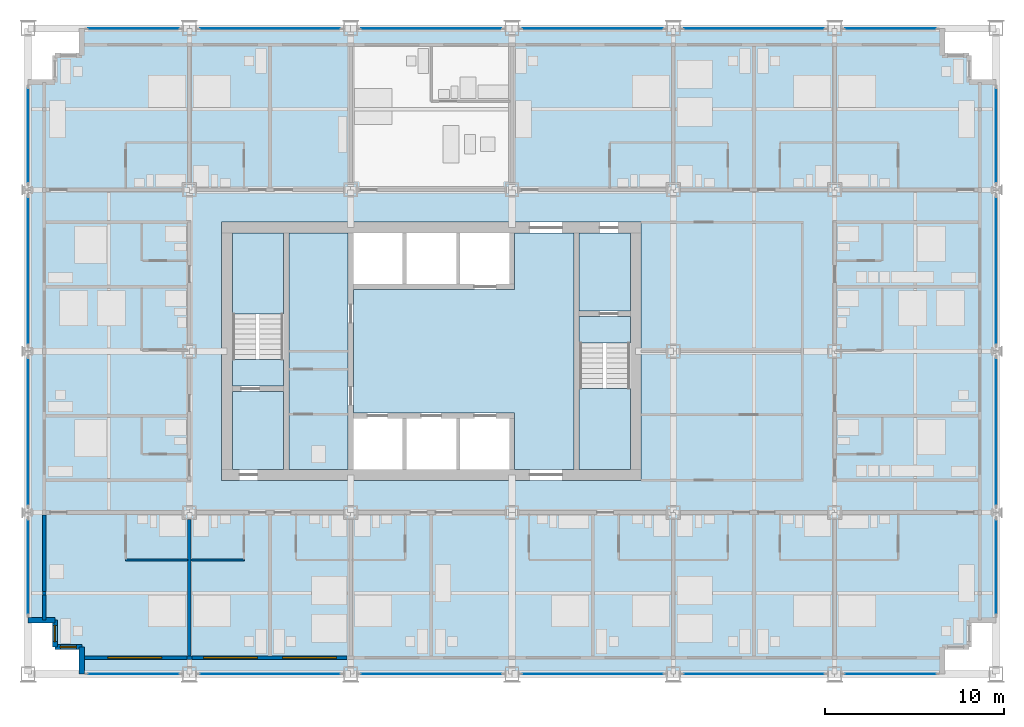
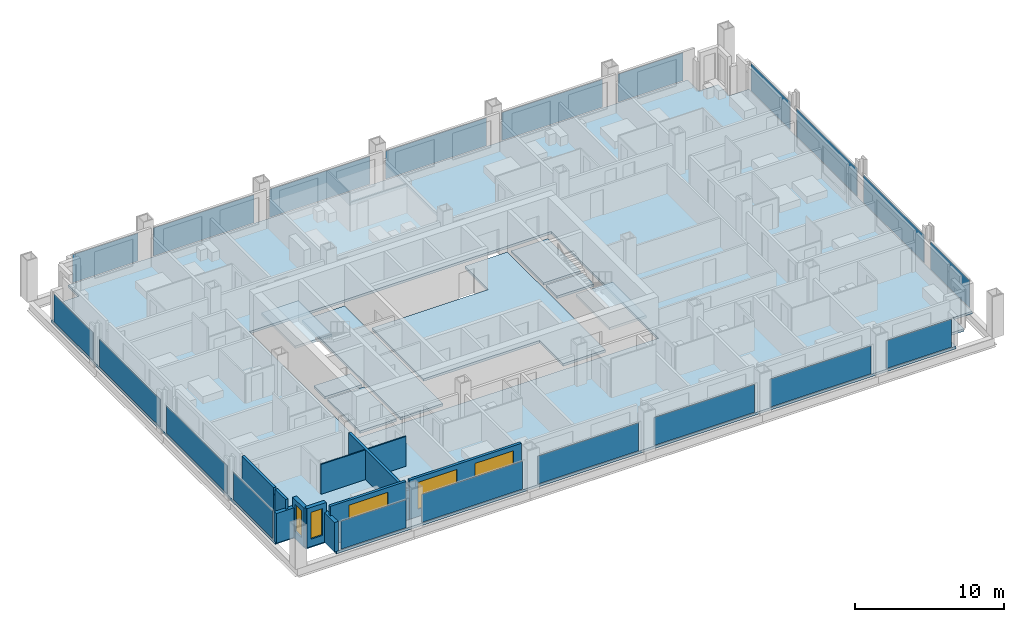
# One storey, part 9 of 18: 20 plates, 13 walls, 9 slabs, 5 windows, 5 openings, 22 elements without a shape of their own.
"""IFC4 building model written with IfcOpenShell, lengths in metres."""

from ifc_helpers import new_model, si_unit, direction, frame, frame_2d, origin, origin_2d, place, context, subcontext, project, spatial, polyline, rectangle, outline, extrude, material, layer, layer_set, type_object, element, fill, aggregate, save


model = new_model("IFC4")

# Units and contexts
model_context = context("Model", 3, precision=1e-05, world=origin(), true_north=direction((0.0, 1.0)))
body_context = subcontext(model_context, "Body", "Model", "MODEL_VIEW")
ifc_project = project(units=[si_unit("LENGTHUNIT", "METRE"), si_unit("AREAUNIT", "SQUARE_METRE"), si_unit("VOLUMEUNIT", "CUBIC_METRE"), si_unit("PLANEANGLEUNIT", "RADIAN"), si_unit("MASSUNIT", "GRAM", prefix="KILO")], contexts=[model_context])

# Site, building, storey
site_placement = place(None, origin())
site = spatial("IfcSite", under=ifc_project, at=site_placement, CompositionType="ELEMENT")
building_placement = place(site_placement, origin())
building = spatial("IfcBuilding", under=site, at=building_placement, Name="Loomwork Tower", CompositionType="ELEMENT")
storey_placement = place(building_placement, frame((0.0, 0.0, 82.39990234375)))
storey = spatial("IfcBuildingStorey", under=building, at=storey_placement, Name="L21", CompositionType="ELEMENT", Elevation=82.39990234375)

# Slabs
ifc_material_1 = material(Name="Concrete 5000 psi (34 MPa) on composite metal deck", Category="concrete")
ifc_layer_1 = layer(ifc_material_1, 0.199951171875)
ifc_layer_set_1 = layer_set([ifc_layer_1], Name="Floor slab 200")
slab_type_1 = type_object("IfcSlabType", Name="Floor slab 200", PredefinedType="FLOOR", material=ifc_layer_set_1)
slab_1_placement = place(storey_placement, frame((0.0, 0.0, -0.199951171875)))
element("IfcSlab", 1, at=slab_1_placement, inside=storey, type_object=slab_type_1, Name="Floor slab L21", PredefinedType="FLOOR", context=body_context, shape_type="SweptSolid", body=[
    extrude(outline(polyline([(3.0, 1.5), (1.5, 1.5), (1.5, 3.0), (0.0, 3.0), (0.0, 33.0), (1.5, 33.0), (1.5, 34.5), (3.0, 34.5), (3.0, 36.0), (51.0, 36.0), (51.0, 34.5), (52.5, 34.5), (52.5, 33.0), (54.0, 33.0), (54.0, 3.0), (52.5, 3.0), (52.5, 1.5), (51.0, 1.5), (51.0, 0.0), (3.0, 0.0), (3.0, 1.5)]), holes=[polyline([(10.800048828125, 11.39990234375), (10.800048828125, 11.39990234375), (10.800048828125, 10.800048828125), (34.199951171875, 10.800048828125), (34.199951171875, 11.39990234375), (34.199951171875, 11.39990234375), (34.199951171875, 24.60009765625), (34.199951171875, 25.199951171875), (10.800048828125, 25.199951171875), (10.800048828125, 24.60009765625), (10.800048828125, 11.39990234375)])]), origin(), (0.0, 0.0, 1.0), 0.199951171875),
])
slab_2_placement = place(storey_placement, frame((0.0, 0.0, -0.199951171875)))
element("IfcSlab", 2, at=slab_2_placement, inside=storey, type_object=slab_type_1, Name="Floor slab L21", PredefinedType="FLOOR", context=body_context, shape_type="SweptSolid", body=[
    extrude(outline(polyline([(30.449951171875, 24.60009765625), (30.449951171875, 11.39990234375), (27.14990234375, 11.39990234375), (27.14990234375, 14.25), (27.14990234375, 14.550048828125), (18.14990234375, 14.550048828125), (18.14990234375, 21.449951171875), (27.14990234375, 21.449951171875), (27.14990234375, 21.75), (27.14990234375, 24.60009765625), (30.449951171875, 24.60009765625)])), origin(), (0.0, 0.0, 1.0), 0.199951171875),
])
slab_3_placement = place(storey_placement, frame((0.0, 0.0, -0.199951171875)))
element("IfcSlab", 3, at=slab_3_placement, inside=storey, type_object=slab_type_1, Name="Floor slab L21", PredefinedType="FLOOR", context=body_context, shape_type="SweptSolid", body=[
    extrude(outline(polyline([(14.550048828125, 11.39990234375), (14.550048828125, 24.60009765625), (17.85009765625, 24.60009765625), (17.85009765625, 11.39990234375), (14.550048828125, 11.39990234375)])), origin(), (0.0, 0.0, 1.0), 0.199951171875),
])
slab_4_placement = place(storey_placement, frame((0.0, 0.0, -0.199951171875)))
element("IfcSlab", 4, at=slab_4_placement, inside=storey, type_object=slab_type_1, Name="Floor slab L21", PredefinedType="FLOOR", context=body_context, shape_type="SweptSolid", body=[
    extrude(outline(polyline([(33.60009765625, 20.25), (30.75, 20.25), (30.75, 24.60009765625), (33.60009765625, 24.60009765625), (33.60009765625, 20.25)])), origin(), (0.0, 0.0, 1.0), 0.199951171875),
])
slab_5_placement = place(storey_placement, frame((0.0, 0.0, -0.199951171875)))
element("IfcSlab", 5, at=slab_5_placement, inside=storey, type_object=slab_type_1, Name="Floor slab L21", PredefinedType="FLOOR", context=body_context, shape_type="SweptSolid", body=[
    extrude(outline(polyline([(14.25, 15.75), (14.25, 11.39990234375), (11.39990234375, 11.39990234375), (11.39990234375, 15.75), (14.25, 15.75)])), origin(), (0.0, 0.0, 1.0), 0.199951171875),
])

# Curtain wall, plate
ifc_material_2 = material(Name="Aluminium curtain wall frame", Category="aluminium")
curtain_wall_type = type_object("IfcCurtainWallType", Name="Outer skin glazing hotel", PredefinedType="NOTDEFINED", material=ifc_material_2)
curtain_wall_1_placement = place(storey_placement, origin())
curtain_wall_1 = element("IfcCurtainWall", 6, at=curtain_wall_1_placement, inside=storey, type_object=curtain_wall_type, Name="Outer skin glazing hotel cw/S-0", PredefinedType="NOTDEFINED")
ifc_material_3 = material(Name="Clear laminated glass", Category="glass")
ifc_layer_2 = layer(ifc_material_3, 0.02392578125)
ifc_layer_set_2 = layer_set([ifc_layer_2], Name="Outer skin glazing hotel panel")
plate_type = type_object("IfcPlateType", Name="Outer skin glazing hotel panel", PredefinedType="CURTAIN_PANEL", material=ifc_layer_set_2)
plate_1_placement = place(storey_placement, frame((5.875, 0.0, 0.06494140625), z_axis=(0.0, 0.0, 1.0), x_axis=(1.0, 0.0, 0.0)))
plate_1 = element("IfcPlate", 7, at=plate_1_placement, type_object=plate_type, Name="CW1 panel 1.1", PredefinedType="CURTAIN_PANEL", context=body_context, shape_type="SweptSolid", body=[
    extrude(rectangle(XDim=5.050048828125, YDim=0.02392578125, at=origin_2d()), origin(), (0.0, 0.0, 1.0), 2.290283203125),
])
aggregate(curtain_wall_1, [plate_1])

curtain_wall_2_placement = place(storey_placement, origin())
curtain_wall_2 = element("IfcCurtainWall", 8, at=curtain_wall_2_placement, inside=storey, type_object=curtain_wall_type, Name="Outer skin glazing hotel cw/S-9", PredefinedType="NOTDEFINED")
plate_2_placement = place(storey_placement, frame((13.5, 0.0, 0.06494140625), z_axis=(0.0, 0.0, 1.0), x_axis=(1.0, 0.0, 0.0)))
plate_2 = element("IfcPlate", 9, at=plate_2_placement, type_object=plate_type, Name="CW1 panel 1.1", PredefinedType="CURTAIN_PANEL", context=body_context, shape_type="SweptSolid", body=[
    extrude(rectangle(XDim=7.800048828125, YDim=0.02392578125, at=origin_2d()), origin(), (0.0, 0.0, 1.0), 2.290283203125),
])
aggregate(curtain_wall_2, [plate_2])

curtain_wall_3_placement = place(storey_placement, origin())
curtain_wall_3 = element("IfcCurtainWall", 10, at=curtain_wall_3_placement, inside=storey, type_object=curtain_wall_type, Name="Outer skin glazing hotel cw/S-18", PredefinedType="NOTDEFINED")
plate_3_placement = place(storey_placement, frame((22.5, 0.0, 0.06494140625), z_axis=(0.0, 0.0, 1.0), x_axis=(1.0, 0.0, 0.0)))
plate_3 = element("IfcPlate", 11, at=plate_3_placement, type_object=plate_type, Name="CW1 panel 1.1", PredefinedType="CURTAIN_PANEL", context=body_context, shape_type="SweptSolid", body=[
    extrude(rectangle(XDim=7.800048828125, YDim=0.02392578125, at=origin_2d()), origin(), (0.0, 0.0, 1.0), 2.290283203125),
])
aggregate(curtain_wall_3, [plate_3])

curtain_wall_4_placement = place(storey_placement, origin())
curtain_wall_4 = element("IfcCurtainWall", 12, at=curtain_wall_4_placement, inside=storey, type_object=curtain_wall_type, Name="Outer skin glazing hotel cw/S-27", PredefinedType="NOTDEFINED")
plate_4_placement = place(storey_placement, frame((31.5, 0.0, 0.06494140625), z_axis=(0.0, 0.0, 1.0), x_axis=(1.0, 0.0, 0.0)))
plate_4 = element("IfcPlate", 13, at=plate_4_placement, type_object=plate_type, Name="CW1 panel 1.1", PredefinedType="CURTAIN_PANEL", context=body_context, shape_type="SweptSolid", body=[
    extrude(rectangle(XDim=7.800048828125, YDim=0.02392578125, at=origin_2d()), origin(), (0.0, 0.0, 1.0), 2.290283203125),
])
aggregate(curtain_wall_4, [plate_4])

curtain_wall_5_placement = place(storey_placement, origin())
curtain_wall_5 = element("IfcCurtainWall", 14, at=curtain_wall_5_placement, inside=storey, type_object=curtain_wall_type, Name="Outer skin glazing hotel cw/S-36", PredefinedType="NOTDEFINED")
plate_5_placement = place(storey_placement, frame((40.5, 0.0, 0.06494140625), z_axis=(0.0, 0.0, 1.0), x_axis=(1.0, 0.0, 0.0)))
plate_5 = element("IfcPlate", 15, at=plate_5_placement, type_object=plate_type, Name="CW1 panel 1.1", PredefinedType="CURTAIN_PANEL", context=body_context, shape_type="SweptSolid", body=[
    extrude(rectangle(XDim=7.800048828125, YDim=0.02392578125, at=origin_2d()), origin(), (0.0, 0.0, 1.0), 2.290283203125),
])
aggregate(curtain_wall_5, [plate_5])

curtain_wall_6_placement = place(storey_placement, origin())
curtain_wall_6 = element("IfcCurtainWall", 16, at=curtain_wall_6_placement, inside=storey, type_object=curtain_wall_type, Name="Outer skin glazing hotel cw/S-45", PredefinedType="NOTDEFINED")
plate_6_placement = place(storey_placement, frame((48.125, 0.0, 0.06494140625), z_axis=(0.0, 0.0, 1.0), x_axis=(1.0, 0.0, 0.0)))
plate_6 = element("IfcPlate", 17, at=plate_6_placement, type_object=plate_type, Name="CW1 panel 1.1", PredefinedType="CURTAIN_PANEL", context=body_context, shape_type="SweptSolid", body=[
    extrude(rectangle(XDim=5.050048828125, YDim=0.02392578125, at=origin_2d()), origin(), (0.0, 0.0, 1.0), 2.290283203125),
])
aggregate(curtain_wall_6, [plate_6])

curtain_wall_7_placement = place(storey_placement, origin())
curtain_wall_7 = element("IfcCurtainWall", 18, at=curtain_wall_7_placement, inside=storey, type_object=curtain_wall_type, Name="Outer skin glazing hotel cw/N-0", PredefinedType="NOTDEFINED")
plate_7_placement = place(storey_placement, frame((5.875, 36.0, 0.06494140625), z_axis=(0.0, 0.0, 1.0), x_axis=(-1.0, 0.0, 0.0)))
plate_7 = element("IfcPlate", 19, at=plate_7_placement, type_object=plate_type, Name="CW1 panel 1.1", PredefinedType="CURTAIN_PANEL", context=body_context, shape_type="SweptSolid", body=[
    extrude(rectangle(XDim=5.050048828125, YDim=0.02392578125, at=origin_2d()), origin(), (0.0, 0.0, 1.0), 2.290283203125),
])
aggregate(curtain_wall_7, [plate_7])

curtain_wall_8_placement = place(storey_placement, origin())
curtain_wall_8 = element("IfcCurtainWall", 20, at=curtain_wall_8_placement, inside=storey, type_object=curtain_wall_type, Name="Outer skin glazing hotel cw/N-9", PredefinedType="NOTDEFINED")
plate_8_placement = place(storey_placement, frame((13.5, 36.0, 0.06494140625), z_axis=(0.0, 0.0, 1.0), x_axis=(-1.0, 0.0, 0.0)))
plate_8 = element("IfcPlate", 21, at=plate_8_placement, type_object=plate_type, Name="CW1 panel 1.1", PredefinedType="CURTAIN_PANEL", context=body_context, shape_type="SweptSolid", body=[
    extrude(rectangle(XDim=7.800048828125, YDim=0.02392578125, at=origin_2d()), origin(), (0.0, 0.0, 1.0), 2.290283203125),
])
aggregate(curtain_wall_8, [plate_8])

curtain_wall_9_placement = place(storey_placement, origin())
curtain_wall_9 = element("IfcCurtainWall", 22, at=curtain_wall_9_placement, inside=storey, type_object=curtain_wall_type, Name="Outer skin glazing hotel cw/N-18", PredefinedType="NOTDEFINED")
plate_9_placement = place(storey_placement, frame((22.5, 36.0, 0.06494140625), z_axis=(0.0, 0.0, 1.0), x_axis=(-1.0, 0.0, 0.0)))
plate_9 = element("IfcPlate", 23, at=plate_9_placement, type_object=plate_type, Name="CW1 panel 1.1", PredefinedType="CURTAIN_PANEL", context=body_context, shape_type="SweptSolid", body=[
    extrude(rectangle(XDim=7.800048828125, YDim=0.02392578125, at=origin_2d()), origin(), (0.0, 0.0, 1.0), 2.290283203125),
])
aggregate(curtain_wall_9, [plate_9])

curtain_wall_10_placement = place(storey_placement, origin())
curtain_wall_10 = element("IfcCurtainWall", 24, at=curtain_wall_10_placement, inside=storey, type_object=curtain_wall_type, Name="Outer skin glazing hotel cw/N-27", PredefinedType="NOTDEFINED")
plate_10_placement = place(storey_placement, frame((31.5, 36.0, 0.06494140625), z_axis=(0.0, 0.0, 1.0), x_axis=(-1.0, 0.0, 0.0)))
plate_10 = element("IfcPlate", 25, at=plate_10_placement, type_object=plate_type, Name="CW1 panel 1.1", PredefinedType="CURTAIN_PANEL", context=body_context, shape_type="SweptSolid", body=[
    extrude(rectangle(XDim=7.800048828125, YDim=0.02392578125, at=origin_2d()), origin(), (0.0, 0.0, 1.0), 2.290283203125),
])
aggregate(curtain_wall_10, [plate_10])

curtain_wall_11_placement = place(storey_placement, origin())
curtain_wall_11 = element("IfcCurtainWall", 26, at=curtain_wall_11_placement, inside=storey, type_object=curtain_wall_type, Name="Outer skin glazing hotel cw/N-36", PredefinedType="NOTDEFINED")
plate_11_placement = place(storey_placement, frame((40.5, 36.0, 0.06494140625), z_axis=(0.0, 0.0, 1.0), x_axis=(-1.0, 0.0, 0.0)))
plate_11 = element("IfcPlate", 27, at=plate_11_placement, type_object=plate_type, Name="CW1 panel 1.1", PredefinedType="CURTAIN_PANEL", context=body_context, shape_type="SweptSolid", body=[
    extrude(rectangle(XDim=7.800048828125, YDim=0.02392578125, at=origin_2d()), origin(), (0.0, 0.0, 1.0), 2.290283203125),
])
aggregate(curtain_wall_11, [plate_11])

curtain_wall_12_placement = place(storey_placement, origin())
curtain_wall_12 = element("IfcCurtainWall", 28, at=curtain_wall_12_placement, inside=storey, type_object=curtain_wall_type, Name="Outer skin glazing hotel cw/N-45", PredefinedType="NOTDEFINED")
plate_12_placement = place(storey_placement, frame((48.125, 36.0, 0.06494140625), z_axis=(0.0, 0.0, 1.0), x_axis=(-1.0, 0.0, 0.0)))
plate_12 = element("IfcPlate", 29, at=plate_12_placement, type_object=plate_type, Name="CW1 panel 1.1", PredefinedType="CURTAIN_PANEL", context=body_context, shape_type="SweptSolid", body=[
    extrude(rectangle(XDim=5.050048828125, YDim=0.02392578125, at=origin_2d()), origin(), (0.0, 0.0, 1.0), 2.290283203125),
])
aggregate(curtain_wall_12, [plate_12])

curtain_wall_13_placement = place(storey_placement, origin())
curtain_wall_13 = element("IfcCurtainWall", 30, at=curtain_wall_13_placement, inside=storey, type_object=curtain_wall_type, Name="Outer skin glazing hotel cw/W-0", PredefinedType="NOTDEFINED")
plate_13_placement = place(storey_placement, frame((0.0, 5.96142578125, 0.06494140625), z_axis=(0.0, 0.0, 1.0), x_axis=(0.0, -1.0, 0.0)))
plate_13 = element("IfcPlate", 31, at=plate_13_placement, type_object=plate_type, Name="CW1 panel 1.1", PredefinedType="CURTAIN_PANEL", context=body_context, shape_type="SweptSolid", body=[
    extrude(rectangle(XDim=5.22265625, YDim=0.02392578125, at=origin_2d()), origin(), (0.0, 0.0, 1.0), 2.290283203125),
])
aggregate(curtain_wall_13, [plate_13])

curtain_wall_14_placement = place(storey_placement, origin())
curtain_wall_14 = element("IfcCurtainWall", 32, at=curtain_wall_14_placement, inside=storey, type_object=curtain_wall_type, Name="Outer skin glazing hotel cw/W-9", PredefinedType="NOTDEFINED")
plate_14_placement = place(storey_placement, frame((0.0, 13.5, 0.06494140625), z_axis=(0.0, 0.0, 1.0), x_axis=(0.0, -1.0, 0.0)))
plate_14 = element("IfcPlate", 33, at=plate_14_placement, type_object=plate_type, Name="CW1 panel 1.1", PredefinedType="CURTAIN_PANEL", context=body_context, shape_type="SweptSolid", body=[
    extrude(rectangle(XDim=8.1455078125, YDim=0.02392578125, at=origin_2d()), origin(), (0.0, 0.0, 1.0), 2.290283203125),
])
aggregate(curtain_wall_14, [plate_14])

curtain_wall_15_placement = place(storey_placement, origin())
curtain_wall_15 = element("IfcCurtainWall", 34, at=curtain_wall_15_placement, inside=storey, type_object=curtain_wall_type, Name="Outer skin glazing hotel cw/W-18", PredefinedType="NOTDEFINED")
plate_15_placement = place(storey_placement, frame((0.0, 22.5, 0.06494140625), z_axis=(0.0, 0.0, 1.0), x_axis=(0.0, -1.0, 0.0)))
plate_15 = element("IfcPlate", 35, at=plate_15_placement, type_object=plate_type, Name="CW1 panel 1.1", PredefinedType="CURTAIN_PANEL", context=body_context, shape_type="SweptSolid", body=[
    extrude(rectangle(XDim=8.1455078125, YDim=0.02392578125, at=origin_2d()), origin(), (0.0, 0.0, 1.0), 2.290283203125),
])
aggregate(curtain_wall_15, [plate_15])

curtain_wall_16_placement = place(storey_placement, origin())
curtain_wall_16 = element("IfcCurtainWall", 36, at=curtain_wall_16_placement, inside=storey, type_object=curtain_wall_type, Name="Outer skin glazing hotel cw/W-27", PredefinedType="NOTDEFINED")
plate_16_placement = place(storey_placement, frame((0.0, 30.03857421875, 0.06494140625), z_axis=(0.0, 0.0, 1.0), x_axis=(0.0, -1.0, 0.0)))
plate_16 = element("IfcPlate", 37, at=plate_16_placement, type_object=plate_type, Name="CW1 panel 1.1", PredefinedType="CURTAIN_PANEL", context=body_context, shape_type="SweptSolid", body=[
    extrude(rectangle(XDim=5.22265625, YDim=0.02392578125, at=origin_2d()), origin(), (0.0, 0.0, 1.0), 2.290283203125),
])
aggregate(curtain_wall_16, [plate_16])

curtain_wall_17_placement = place(storey_placement, origin())
curtain_wall_17 = element("IfcCurtainWall", 38, at=curtain_wall_17_placement, inside=storey, type_object=curtain_wall_type, Name="Outer skin glazing hotel cw/E-0", PredefinedType="NOTDEFINED")
plate_17_placement = place(storey_placement, frame((54.0, 5.96142578125, 0.06494140625), z_axis=(0.0, 0.0, 1.0), x_axis=(0.0, 1.0, 0.0)))
plate_17 = element("IfcPlate", 39, at=plate_17_placement, type_object=plate_type, Name="CW1 panel 1.1", PredefinedType="CURTAIN_PANEL", context=body_context, shape_type="SweptSolid", body=[
    extrude(rectangle(XDim=5.22265625, YDim=0.02392578125, at=origin_2d()), origin(), (0.0, 0.0, 1.0), 2.290283203125),
])
aggregate(curtain_wall_17, [plate_17])

curtain_wall_18_placement = place(storey_placement, origin())
curtain_wall_18 = element("IfcCurtainWall", 40, at=curtain_wall_18_placement, inside=storey, type_object=curtain_wall_type, Name="Outer skin glazing hotel cw/E-9", PredefinedType="NOTDEFINED")
plate_18_placement = place(storey_placement, frame((54.0, 13.5, 0.06494140625), z_axis=(0.0, 0.0, 1.0), x_axis=(0.0, 1.0, 0.0)))
plate_18 = element("IfcPlate", 41, at=plate_18_placement, type_object=plate_type, Name="CW1 panel 1.1", PredefinedType="CURTAIN_PANEL", context=body_context, shape_type="SweptSolid", body=[
    extrude(rectangle(XDim=8.1455078125, YDim=0.02392578125, at=origin_2d()), origin(), (0.0, 0.0, 1.0), 2.290283203125),
])
aggregate(curtain_wall_18, [plate_18])

curtain_wall_19_placement = place(storey_placement, origin())
curtain_wall_19 = element("IfcCurtainWall", 42, at=curtain_wall_19_placement, inside=storey, type_object=curtain_wall_type, Name="Outer skin glazing hotel cw/E-18", PredefinedType="NOTDEFINED")
plate_19_placement = place(storey_placement, frame((54.0, 22.5, 0.06494140625), z_axis=(0.0, 0.0, 1.0), x_axis=(0.0, 1.0, 0.0)))
plate_19 = element("IfcPlate", 43, at=plate_19_placement, type_object=plate_type, Name="CW1 panel 1.1", PredefinedType="CURTAIN_PANEL", context=body_context, shape_type="SweptSolid", body=[
    extrude(rectangle(XDim=8.1455078125, YDim=0.02392578125, at=origin_2d()), origin(), (0.0, 0.0, 1.0), 2.290283203125),
])
aggregate(curtain_wall_19, [plate_19])

curtain_wall_20_placement = place(storey_placement, origin())
curtain_wall_20 = element("IfcCurtainWall", 44, at=curtain_wall_20_placement, inside=storey, type_object=curtain_wall_type, Name="Outer skin glazing hotel cw/E-27", PredefinedType="NOTDEFINED")
plate_20_placement = place(storey_placement, frame((54.0, 30.03857421875, 0.06494140625), z_axis=(0.0, 0.0, 1.0), x_axis=(0.0, 1.0, 0.0)))
plate_20 = element("IfcPlate", 45, at=plate_20_placement, type_object=plate_type, Name="CW1 panel 1.1", PredefinedType="CURTAIN_PANEL", context=body_context, shape_type="SweptSolid", body=[
    extrude(rectangle(XDim=5.22265625, YDim=0.02392578125, at=origin_2d()), origin(), (0.0, 0.0, 1.0), 2.290283203125),
])
aggregate(curtain_wall_20, [plate_20])

# Stair, slabs
ifc_material_4 = material(Name="Concrete 5000 psi (34 MPa) precast stair", Category="concrete")
stair_type_1 = type_object("IfcStairType", Name="Stair ST-A 20 risers 2850 wide", PredefinedType="HALF_TURN_STAIR", material=ifc_material_4)
stair_1_placement = place(storey_placement, origin())
stair_1 = element("IfcStair", 46, at=stair_1_placement, inside=storey, type_object=stair_type_1, Name="Stair A L21", PredefinedType="HALF_TURN_STAIR")
ifc_material_5 = material(Name="Concrete 5000 psi (34 MPa)", Category="concrete")
ifc_layer_3 = layer(ifc_material_5, 0.199951171875)
ifc_layer_set_3 = layer_set([ifc_layer_3], Name="Stair landing 200")
slab_type_2 = type_object("IfcSlabType", Name="Stair landing 200", PredefinedType="LANDING", material=ifc_layer_set_3)
slab_6_placement = place(storey_placement, frame((0.0, 0.0, -0.199951171875)))
slab_6 = element("IfcSlab", 47, at=slab_6_placement, type_object=slab_type_2, Name="ST-A landing 1", PredefinedType="LANDING", context=body_context, shape_type="SweptSolid", body=[
    extrude(outline(polyline([(11.39990234375, 16.050048828125), (14.25, 16.050048828125), (14.25, 17.550048828125), (11.39990234375, 17.550048828125), (11.39990234375, 16.050048828125)])), origin(), (0.0, 0.0, 1.0), 0.199951171875),
])
slab_7_placement = place(storey_placement, frame((0.0, 0.0, 1.5)))
slab_7 = element("IfcSlab", 48, at=slab_7_placement, type_object=slab_type_2, Name="ST-A landing 2", PredefinedType="LANDING", context=body_context, shape_type="SweptSolid", body=[
    extrude(outline(polyline([(11.39990234375, 20.070068359375), (14.25, 20.070068359375), (14.25, 24.60009765625), (11.39990234375, 24.60009765625), (11.39990234375, 20.070068359375)])), origin(), (0.0, 0.0, 1.0), 0.2001953125),
])
aggregate(stair_1, [slab_6, slab_7])

ifc_material_6 = material(Name="Concrete 5000 psi (34 MPa) precast stair", Category="concrete")
stair_type_2 = type_object("IfcStairType", Name="Stair ST-B 20 risers 2850 wide", PredefinedType="HALF_TURN_STAIR", material=ifc_material_6)
stair_2_placement = place(storey_placement, origin())
stair_2 = element("IfcStair", 49, at=stair_2_placement, inside=storey, type_object=stair_type_2, Name="Stair B L21", PredefinedType="HALF_TURN_STAIR")
slab_8_placement = place(storey_placement, frame((0.0, 0.0, -0.199951171875)))
slab_8 = element("IfcSlab", 50, at=slab_8_placement, type_object=slab_type_2, Name="ST-B landing 1", PredefinedType="LANDING", context=body_context, shape_type="SweptSolid", body=[
    extrude(outline(polyline([(30.75, 18.449951171875), (33.60009765625, 18.449951171875), (33.60009765625, 19.949951171875), (30.75, 19.949951171875), (30.75, 18.449951171875)])), origin(), (0.0, 0.0, 1.0), 0.199951171875),
])
slab_9_placement = place(storey_placement, frame((0.0, 0.0, 1.5)))
slab_9 = element("IfcSlab", 51, at=slab_9_placement, type_object=slab_type_2, Name="ST-B landing 2", PredefinedType="LANDING", context=body_context, shape_type="SweptSolid", body=[
    extrude(outline(polyline([(30.75, 11.39990234375), (33.60009765625, 11.39990234375), (33.60009765625, 15.929931640625), (30.75, 15.929931640625), (30.75, 11.39990234375)])), origin(), (0.0, 0.0, 1.0), 0.2001953125),
])
aggregate(stair_2, [slab_8, slab_9])

# Walls
ifc_material_7 = material(Name="Cement board on steel studs", Category="steel")
ifc_layer_4 = layer(ifc_material_7, 0.10009765625)
ifc_layer_set_4 = layer_set([ifc_layer_4], Name="En-suite partition 100")
wall_type_1 = type_object("IfcWallType", Name="En-suite partition 100", PredefinedType="PARTITIONING", material=ifc_layer_set_4)
wall_1_placement = place(storey_placement, frame((5.449951171875, 6.35009765625, 0.0), z_axis=(0.0, 0.0, 1.0), x_axis=(1.0, 0.0, 0.0)))
element("IfcWall", 52, at=wall_1_placement, inside=storey, type_object=wall_type_1, Name="En-suite wall L21 room 1", PredefinedType="PARTITIONING", context=body_context, shape_type="SweptSolid", body=[
    extrude(rectangle(XDim=3.449951171875, YDim=0.10009765625, at=frame_2d((1.72509765625, 0.0))), origin(), (0.0, 0.0, 1.0), 2.43798828125),
])
wall_2_placement = place(storey_placement, frame((9.10009765625, 6.35009765625, 0.0), z_axis=(0.0, 0.0, 1.0), x_axis=(1.0, 0.0, 0.0)))
element("IfcWall", 53, at=wall_2_placement, inside=storey, type_object=wall_type_1, Name="En-suite wall L21 room 2", PredefinedType="PARTITIONING", context=body_context, shape_type="SweptSolid", body=[
    extrude(rectangle(XDim=2.949951171875, YDim=0.10009765625, at=frame_2d((1.47509765625, 0.0))), origin(), (0.0, 0.0, 1.0), 2.43798828125),
])
ifc_material_8 = material(Name="Gypsum board on steel studs, acoustic", Category="steel")
ifc_layer_5 = layer(ifc_material_8, 0.199951171875)
ifc_layer_set_5 = layer_set([ifc_layer_5], Name="Guest room party wall 200")
wall_type_2 = type_object("IfcWallType", Name="Guest room party wall 200", PredefinedType="PARTITIONING", material=ifc_layer_set_5)
wall_3_placement = place(storey_placement, frame((9.0, 8.60009765625, 0.0), z_axis=(0.0, 0.0, 1.0), x_axis=(0.0, -1.0, 0.0)))
element("IfcWall", 54, at=wall_3_placement, inside=storey, type_object=wall_type_2, Name="Guest room party wall S 9", PredefinedType="PARTITIONING", context=body_context, shape_type="SweptSolid", body=[
    extrude(rectangle(XDim=7.60009765625, YDim=0.199951171875, at=frame_2d((3.800048828125, 0.0))), origin(), (0.0, 0.0, 1.0), 2.43798828125),
])

# Wall, opening, window
ifc_material_9 = material(Name="Insulated steel stud wall with gypsum lining", Category="steel")
ifc_layer_6 = layer(ifc_material_9, 0.199951171875)
ifc_layer_set_6 = layer_set([ifc_layer_6], Name="Inner skin wall 200")
wall_type_3 = type_object("IfcWallType", Name="Inner skin wall 200", PredefinedType="SOLIDWALL", material=ifc_layer_set_6)
wall_4_placement = place(storey_placement, frame((3.0, 0.89990234375, 0.0), z_axis=(0.0, 0.0, 1.0), x_axis=(1.0, 0.0, 0.0)))
wall_4 = element("IfcWall", 55, at=wall_4_placement, inside=storey, type_object=wall_type_3, Name="Inner skin wall S", PredefinedType="SOLIDWALL", context=body_context, shape_type="SweptSolid", body=[
    extrude(rectangle(XDim=5.86474609375, YDim=0.199951171875, at=frame_2d((2.932373046875, 0.0))), origin(), (0.0, 0.0, 1.0), 3.2001953125),
])
opening_1_placement = place(wall_4_placement, frame((1.449951171875, 0.0, 0.60009765625)))
opening_1 = element("IfcOpeningElement", 56, at=opening_1_placement, cuts=wall_4, Name="Opening CH1", PredefinedType="OPENING", context=body_context, shape_type="SweptSolid", body=[
    extrude(rectangle(XDim=3.0, YDim=2.199951171875, at=frame_2d((1.5, 1.10009765625))), frame((0.0, 0.10986328125, 0.0), z_axis=(0.0, -1.0, 0.0), x_axis=(1.0, 0.0, 0.0)), (0.0, 0.0, 1.0), 0.219970703125),
])
ifc_material_10 = material(Name="Aluminium frame with clear insulated glass", Category="aluminium")
window_type_1 = type_object("IfcWindowType", Name="Chicago window 3000", PartitioningType="TRIPLE_PANEL_VERTICAL", PredefinedType="WINDOW", material=ifc_material_10)
window_1_placement = place(opening_1_placement, origin())
window_1 = element("IfcWindow", 57, at=window_1_placement, inside=storey, type_object=window_type_1, Name="Chicago window L21 bay 1", OverallHeight=2.199951171875, OverallWidth=3.0, PartitioningType="TRIPLE_PANEL_VERTICAL", PredefinedType="WINDOW", context=body_context, shape_type="SweptSolid", body=[
    extrude(rectangle(XDim=3.0, YDim=2.199951171875, at=frame_2d((1.5, 1.10009765625))), frame((0.0, 0.030029296875, 0.0), z_axis=(0.0, -1.0, 0.0), x_axis=(1.0, 0.0, 0.0)), (0.0, 0.0, 1.0), 0.06005859375),
])
fill(opening_1, window_1)

# Walls
wall_5_placement = place(storey_placement, frame((0.89990234375, 3.0, 0.0), z_axis=(0.0, 0.0, 1.0), x_axis=(0.0, 1.0, 0.0)))
element("IfcWall", 58, at=wall_5_placement, inside=storey, type_object=wall_type_3, Name="Inner skin wall W", PredefinedType="SOLIDWALL", context=body_context, shape_type="SweptSolid", body=[
    extrude(rectangle(XDim=1.392578125, YDim=0.199951171875, at=frame_2d((0.6962890625, 0.0))), origin(), (0.0, 0.0, 1.0), 3.2001953125),
])
wall_6_placement = place(storey_placement, frame((8.86474609375, 0.89990234375, 0.0), z_axis=(0.0, 0.0, 1.0), x_axis=(1.0, 0.0, 0.0)))
element("IfcWall", 59, at=wall_6_placement, inside=storey, type_object=wall_type_3, Name="Inner skin wall S bay 2", PredefinedType="SOLIDWALL", context=body_context, shape_type="SweptSolid", body=[
    extrude(rectangle(XDim=0.2705078125, YDim=0.199951171875, at=frame_2d((0.13525390625, 0.0))), origin(), (0.0, 0.0, 1.0), 2.43798828125),
])

# Wall, openings, windows
wall_7_placement = place(storey_placement, frame((9.13525390625, 0.89990234375, 0.0), z_axis=(0.0, 0.0, 1.0), x_axis=(1.0, 0.0, 0.0)))
wall_7 = element("IfcWall", 60, at=wall_7_placement, inside=storey, type_object=wall_type_3, Name="Inner skin wall S bay 3", PredefinedType="SOLIDWALL", context=body_context, shape_type="SweptSolid", body=[
    extrude(rectangle(XDim=8.6708984375, YDim=0.199951171875, at=frame_2d((4.33544921875, 0.0))), origin(), (0.0, 0.0, 1.0), 3.2001953125),
])
opening_2_placement = place(wall_7_placement, frame((0.664794921875, 0.0, 0.60009765625)))
opening_2 = element("IfcOpeningElement", 61, at=opening_2_placement, cuts=wall_7, Name="Opening CH1", PredefinedType="OPENING", context=body_context, shape_type="SweptSolid", body=[
    extrude(rectangle(XDim=3.0, YDim=2.199951171875, at=frame_2d((1.5, 1.10009765625))), frame((0.0, 0.10986328125, 0.0), z_axis=(0.0, -1.0, 0.0), x_axis=(1.0, 0.0, 0.0)), (0.0, 0.0, 1.0), 0.219970703125),
])
opening_3_placement = place(wall_7_placement, frame((5.064697265625, 0.0, 0.60009765625)))
opening_3 = element("IfcOpeningElement", 62, at=opening_3_placement, cuts=wall_7, Name="Opening CH1", PredefinedType="OPENING", context=body_context, shape_type="SweptSolid", body=[
    extrude(rectangle(XDim=3.0, YDim=2.199951171875, at=frame_2d((1.5, 1.10009765625))), frame((0.0, 0.10986328125, 0.0), z_axis=(0.0, -1.0, 0.0), x_axis=(1.0, 0.0, 0.0)), (0.0, 0.0, 1.0), 0.219970703125),
])
window_2_placement = place(opening_2_placement, origin())
window_2 = element("IfcWindow", 63, at=window_2_placement, inside=storey, type_object=window_type_1, Name="Chicago window L21 bay 2", OverallHeight=2.199951171875, OverallWidth=3.0, PartitioningType="TRIPLE_PANEL_VERTICAL", PredefinedType="WINDOW", context=body_context, shape_type="SweptSolid", body=[
    extrude(rectangle(XDim=3.0, YDim=2.199951171875, at=frame_2d((1.5, 1.10009765625))), frame((0.0, 0.030029296875, 0.0), z_axis=(0.0, -1.0, 0.0), x_axis=(1.0, 0.0, 0.0)), (0.0, 0.0, 1.0), 0.06005859375),
])
fill(opening_2, window_2)
window_3_placement = place(opening_3_placement, origin())
window_3 = element("IfcWindow", 64, at=window_3_placement, inside=storey, type_object=window_type_1, Name="Chicago window L21 bay 2", OverallHeight=2.199951171875, OverallWidth=3.0, PartitioningType="TRIPLE_PANEL_VERTICAL", PredefinedType="WINDOW", context=body_context, shape_type="SweptSolid", body=[
    extrude(rectangle(XDim=3.0, YDim=2.199951171875, at=frame_2d((1.5, 1.10009765625))), frame((0.0, 0.030029296875, 0.0), z_axis=(0.0, -1.0, 0.0), x_axis=(1.0, 0.0, 0.0)), (0.0, 0.0, 1.0), 0.06005859375),
])
fill(opening_3, window_3)

# Walls
wall_8_placement = place(storey_placement, frame((0.89990234375, 4.392578125, 0.0), z_axis=(0.0, 0.0, 1.0), x_axis=(0.0, 1.0, 0.0)))
element("IfcWall", 65, at=wall_8_placement, inside=storey, type_object=wall_type_3, Name="Inner skin wall W bay 2", PredefinedType="SOLIDWALL", context=body_context, shape_type="SweptSolid", body=[
    extrude(rectangle(XDim=0.21484375, YDim=0.199951171875, at=frame_2d((0.107421875, 0.0))), origin(), (0.0, 0.0, 1.0), 2.6611328125),
])
wall_9_placement = place(storey_placement, frame((0.89990234375, 4.607421875, 0.0), z_axis=(0.0, 0.0, 1.0), x_axis=(0.0, 1.0, 0.0)))
element("IfcWall", 66, at=wall_9_placement, inside=storey, type_object=wall_type_3, Name="Inner skin wall W bay 3", PredefinedType="SOLIDWALL", context=body_context, shape_type="SweptSolid", body=[
    extrude(rectangle(XDim=4.25732421875, YDim=0.199951171875, at=frame_2d((2.128662109375, 0.0))), origin(), (0.0, 0.0, 1.0), 3.2001953125),
])
ifc_material_11 = material(Name="Limestone on concrete masonry", Category="masonry")
ifc_layer_7 = layer(ifc_material_11, 0.300048828125)
ifc_layer_set_7 = layer_set([ifc_layer_7], Name="Limestone corner wall 300")
wall_type_4 = type_object("IfcWallType", Name="Limestone corner wall 300", PredefinedType="SOLIDWALL", material=ifc_layer_set_7)
wall_10_placement = place(storey_placement, frame((0.0, 3.0, 0.0), z_axis=(0.0, 0.0, 1.0), x_axis=(1.0, 0.0, 0.0)))
element("IfcWall", 67, at=wall_10_placement, inside=storey, type_object=wall_type_4, Name="Stone corner wall SW 1", PredefinedType="SOLIDWALL", context=body_context, shape_type="SweptSolid", body=[
    extrude(rectangle(XDim=1.5, YDim=0.300048828125, at=frame_2d((0.75, 0.0))), origin(), (0.0, 0.0, 1.0), 2.420166015625),
])

# Wall, opening, window
wall_11_placement = place(storey_placement, frame((1.5, 3.0, 0.0), z_axis=(0.0, 0.0, 1.0), x_axis=(0.0, -1.0, 0.0)))
wall_11 = element("IfcWall", 68, at=wall_11_placement, inside=storey, type_object=wall_type_4, Name="Stone corner wall SW 2", PredefinedType="SOLIDWALL", context=body_context, shape_type="SweptSolid", body=[
    extrude(rectangle(XDim=1.5, YDim=0.300048828125, at=frame_2d((0.75, 0.0))), origin(), (0.0, 0.0, 1.0), 3.2001953125),
])
opening_4_placement = place(wall_11_placement, frame((0.300048828125, 0.0, 0.60009765625)))
opening_4 = element("IfcOpeningElement", 69, at=opening_4_placement, cuts=wall_11, Name="Opening CH2", PredefinedType="OPENING", context=body_context, shape_type="SweptSolid", body=[
    extrude(rectangle(XDim=0.89990234375, YDim=2.199951171875, at=frame_2d((0.449951171875, 1.10009765625))), frame((0.0, 0.159912109375, 0.0), z_axis=(0.0, -1.0, 0.0), x_axis=(1.0, 0.0, 0.0)), (0.0, 0.0, 1.0), 0.320068359375),
])
ifc_material_12 = material(Name="Aluminium frame with clear insulated glass", Category="aluminium")
window_type_2 = type_object("IfcWindowType", Name="Corner window 900", PartitioningType="SINGLE_PANEL", PredefinedType="WINDOW", material=ifc_material_12)
window_4_placement = place(opening_4_placement, origin())
window_4 = element("IfcWindow", 70, at=window_4_placement, inside=storey, type_object=window_type_2, Name="Corner window SW", OverallHeight=2.199951171875, OverallWidth=0.89990234375, PartitioningType="SINGLE_PANEL", PredefinedType="WINDOW", context=body_context, shape_type="SweptSolid", body=[
    extrude(rectangle(XDim=0.89990234375, YDim=2.199951171875, at=frame_2d((0.449951171875, 1.10009765625))), frame((0.0, 0.030029296875, 0.0), z_axis=(0.0, -1.0, 0.0), x_axis=(1.0, 0.0, 0.0)), (0.0, 0.0, 1.0), 0.06005859375),
])
fill(opening_4, window_4)

wall_12_placement = place(storey_placement, frame((1.5, 1.5, 0.0), z_axis=(0.0, 0.0, 1.0), x_axis=(1.0, 0.0, 0.0)))
wall_12 = element("IfcWall", 71, at=wall_12_placement, inside=storey, type_object=wall_type_4, Name="Stone corner wall SW 3", PredefinedType="SOLIDWALL", context=body_context, shape_type="SweptSolid", body=[
    extrude(rectangle(XDim=1.5, YDim=0.300048828125, at=frame_2d((0.75, 0.0))), origin(), (0.0, 0.0, 1.0), 3.2001953125),
])
opening_5_placement = place(wall_12_placement, frame((0.300048828125, 0.0, 0.60009765625)))
opening_5 = element("IfcOpeningElement", 72, at=opening_5_placement, cuts=wall_12, Name="Opening CH2", PredefinedType="OPENING", context=body_context, shape_type="SweptSolid", body=[
    extrude(rectangle(XDim=0.89990234375, YDim=2.199951171875, at=frame_2d((0.449951171875, 1.10009765625))), frame((0.0, 0.159912109375, 0.0), z_axis=(0.0, -1.0, 0.0), x_axis=(1.0, 0.0, 0.0)), (0.0, 0.0, 1.0), 0.320068359375),
])
window_5_placement = place(opening_5_placement, origin())
window_5 = element("IfcWindow", 73, at=window_5_placement, inside=storey, type_object=window_type_2, Name="Corner window SW", OverallHeight=2.199951171875, OverallWidth=0.89990234375, PartitioningType="SINGLE_PANEL", PredefinedType="WINDOW", context=body_context, shape_type="SweptSolid", body=[
    extrude(rectangle(XDim=0.89990234375, YDim=2.199951171875, at=frame_2d((0.449951171875, 1.10009765625))), frame((0.0, 0.030029296875, 0.0), z_axis=(0.0, -1.0, 0.0), x_axis=(1.0, 0.0, 0.0)), (0.0, 0.0, 1.0), 0.06005859375),
])
fill(opening_5, window_5)

# Wall
wall_13_placement = place(storey_placement, frame((3.0, 1.5, 0.0), z_axis=(0.0, 0.0, 1.0), x_axis=(0.0, -1.0, 0.0)))
element("IfcWall", 74, at=wall_13_placement, inside=storey, type_object=wall_type_4, Name="Stone corner wall SW 4", PredefinedType="SOLIDWALL", context=body_context, shape_type="SweptSolid", body=[
    extrude(rectangle(XDim=1.5, YDim=0.300048828125, at=frame_2d((0.75, 0.0))), origin(), (0.0, 0.0, 1.0), 2.420166015625),
])

save(model, "model.ifc")
